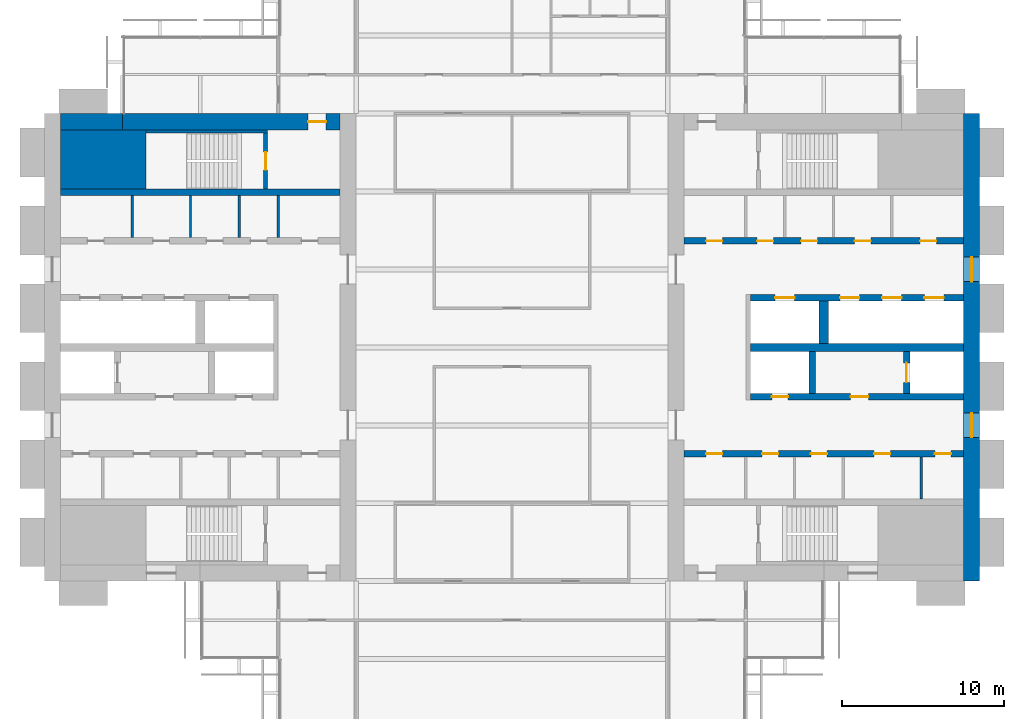
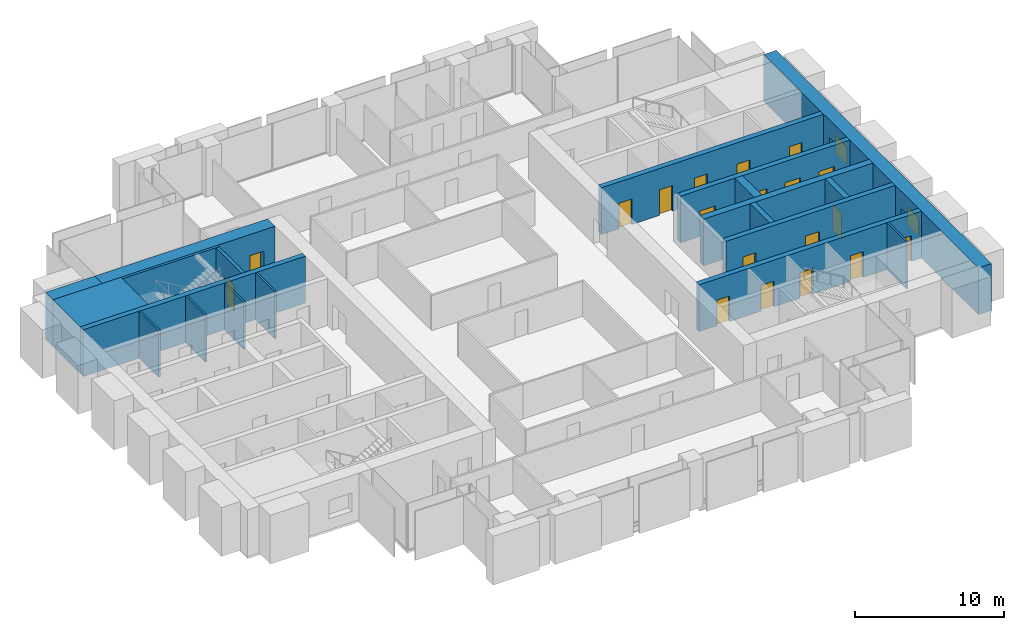
# One storey, part 11 of 14: 20 walls, 19 doors, 2 windows, 21 openings.
"""IFC4 building model written with IfcOpenShell, lengths in metres."""

from ifc_helpers import new_model, si_unit, direction, frame, frame_2d, origin, place, context, subcontext, project, spatial, rectangle, extrude, material, layer, layer_set, type_object, element, fill, save


model = new_model("IFC4")

# Units and contexts
model_context = context("Model", 3, precision=1e-05, world=origin(), true_north=direction((0.0, 1.0)))
body_context = subcontext(model_context, "Body", "Model", "MODEL_VIEW")
ifc_project = project(units=[si_unit("LENGTHUNIT", "METRE"), si_unit("AREAUNIT", "SQUARE_METRE"), si_unit("VOLUMEUNIT", "CUBIC_METRE"), si_unit("PLANEANGLEUNIT", "RADIAN"), si_unit("MASSUNIT", "GRAM", prefix="KILO")], contexts=[model_context])

# Site, building, storey
site_placement = place(None, origin())
site = spatial("IfcSite", under=ifc_project, at=site_placement, CompositionType="ELEMENT")
building_placement = place(site_placement, origin())
building = spatial("IfcBuilding", under=site, at=building_placement, Name="Baori Bourse Tower", CompositionType="ELEMENT")
storey_placement = place(building_placement, frame((0.0, 0.0, 124.10009765625)))
storey = spatial("IfcBuildingStorey", under=building, at=storey_placement, Name="L26", CompositionType="ELEMENT", Elevation=124.10009765625)

# Walls
ifc_material_1 = material(Name="Concrete f'c 60 MPa", Category="concrete")
wall_type_1 = type_object("IfcWallType", Name="Core corner block f'c 60", PredefinedType="SHEAR", material=ifc_material_1)
wall_1_placement = place(storey_placement, frame((1.0, 35.574951171875, 0.0), z_axis=(0.0, 0.0, 1.0), x_axis=(1.0, 0.0, 0.0)))
element("IfcWall", 1, at=wall_1_placement, inside=storey, type_object=wall_type_1, Name="Core wall W28", PredefinedType="SHEAR", context=body_context, shape_type="SweptSolid", body=[
    extrude(rectangle(XDim=5.25, YDim=3.64990234375, at=frame_2d((2.625, 0.0))), origin(), (0.0, 0.0, 1.0), 3.83984375),
])
ifc_material_2 = material(Name="Blockwork partition", Category="masonry")
ifc_layer_1 = layer(ifc_material_2, 0.14990234375)
ifc_layer_set_1 = layer_set([ifc_layer_1], Name="Core partition 150")
wall_type_2 = type_object("IfcWallType", Name="Core partition 150", PredefinedType="PARTITIONING", material=ifc_layer_set_1)
for number, where, z_axis, x_axis, name in (
    (2, (5.39990234375, 30.75, 0.0), (0.0, 0.0, 1.0), (0.0, 1.0, 0.0), "Partition wall W23"),
    (3, (9.0, 30.75, 0.0), (0.0, 0.0, 1.0), (0.0, 1.0, 0.0), "Partition wall W24"),
    (4, (12.0, 30.75, 0.0), (0.0, 0.0, 1.0), (0.0, 1.0, 0.0), "Partition wall W25"),
    (5, (14.39990234375, 30.75, 0.0), (0.0, 0.0, 1.0), (0.0, 1.0, 0.0), "Partition wall W26"),
    (6, (54.0, 14.64990234375, 0.0), (0.0, 0.0, 1.0), (0.0, 1.0, 0.0), "Partition wall E10"),
):
    element("IfcWall", number, at=place(storey_placement, frame(where, z_axis=z_axis, x_axis=x_axis)), inside=storey, type_object=wall_type_2, Name=name, PredefinedType="PARTITIONING", context=body_context, shape_type="SweptSolid", body=[
        extrude(rectangle(XDim=2.60009765625, YDim=0.14990234375, at=frame_2d((1.300048828125, 0.0))), origin(), (0.0, 0.0, 1.0), 3.83984375),
    ])
ifc_material_3 = material(Name="Concrete f'c 60 MPa", Category="concrete")
ifc_layer_2 = layer(ifc_material_3, 1.0)
ifc_layer_set_2 = layer_set([ifc_layer_2], Name="Core wall 1000 f'c 60")
wall_type_3 = type_object("IfcWallType", Name="Core wall 1000 f'c 60", PredefinedType="SHEAR", material=ifc_layer_set_2)
wall_2_placement = place(storey_placement, frame((1.0, 37.89990234375, 0.0), z_axis=(0.0, 0.0, 1.0), x_axis=(1.0, 0.0, 0.0)))
element("IfcWall", 7, at=wall_2_placement, inside=storey, type_object=wall_type_3, Name="Core wall W31", PredefinedType="SHEAR", context=body_context, shape_type="SweptSolid", body=[
    extrude(rectangle(XDim=3.800048828125, YDim=1.0, at=frame_2d((1.89990234375, 0.0))), origin(), (0.0, 0.0, 1.0), 3.83984375),
])

# Wall, opening, door
wall_3_placement = place(storey_placement, frame((4.800048828125, 37.89990234375, 0.0), z_axis=(0.0, 0.0, 1.0), x_axis=(1.0, 0.0, 0.0)))
wall_3 = element("IfcWall", 8, at=wall_3_placement, inside=storey, type_object=wall_type_3, Name="Core wall W32", PredefinedType="SHEAR", context=body_context, shape_type="SweptSolid", body=[
    extrude(rectangle(XDim=13.39990234375, YDim=1.0, at=frame_2d((6.699951171875, 0.0))), origin(), (0.0, 0.0, 1.0), 3.83984375),
])
opening_1_placement = place(wall_3_placement, frame((11.449951171875, 0.0, 0.0)))
opening_1 = element("IfcOpeningElement", 9, at=opening_1_placement, cuts=wall_3, Name="Opening L26-D104", PredefinedType="OPENING", context=body_context, shape_type="SweptSolid", body=[
    extrude(rectangle(XDim=1.10009765625, YDim=2.10009765625, at=frame_2d((0.550048828125, 1.050048828125))), frame((0.0, 0.510009765625, 0.0), z_axis=(0.0, -1.0, 0.0), x_axis=(1.0, 0.0, 0.0)), (0.0, 0.0, 1.0), 1.02001953125),
])
ifc_material_4 = material(Name="Painted steel door", Category="steel")
door_type_1 = type_object("IfcDoorType", Name="Stair door 1100", OperationType="SINGLE_SWING_LEFT", PredefinedType="DOOR", material=ifc_material_4)
door_1_placement = place(opening_1_placement, origin())
door_1 = element("IfcDoor", 10, at=door_1_placement, inside=storey, type_object=door_type_1, Name="Stair vestibule door B W L26", OperationType="SINGLE_SWING_LEFT", OverallHeight=2.10009765625, OverallWidth=1.10009765625, PredefinedType="DOOR", context=body_context, shape_type="SweptSolid", body=[
    extrude(rectangle(XDim=1.10009765625, YDim=2.10009765625, at=frame_2d((0.550048828125, 1.050048828125))), frame((0.0, 0.02490234375, 0.0), z_axis=(0.0, -1.0, 0.0), x_axis=(1.0, 0.0, 0.0)), (0.0, 0.0, 1.0), 0.050048828125),
])
fill(opening_1, door_1)

# Wall, openings, windows
wall_4_placement = place(storey_placement, frame((57.10009765625, 38.39990234375, 0.0), z_axis=(0.0, 0.0, 1.0), x_axis=(0.0, -1.0, 0.0)))
wall_4 = element("IfcWall", 11, at=wall_4_placement, inside=storey, type_object=wall_type_3, Name="Core wall E01", PredefinedType="SHEAR", context=body_context, shape_type="SweptSolid", body=[
    extrude(rectangle(XDim=28.7998046875, YDim=1.0, at=frame_2d((14.39990234375, 0.0))), origin(), (0.0, 0.0, 1.0), 3.83984375),
])
opening_2_placement = place(wall_4_placement, frame((18.449951171875, 0.0, 0.89990234375)))
opening_2 = element("IfcOpeningElement", 12, at=opening_2_placement, cuts=wall_4, Name="Opening L26-KW201", PredefinedType="OPENING", context=body_context, shape_type="SweptSolid", body=[
    extrude(rectangle(XDim=1.5, YDim=1.5, at=frame_2d((0.75, 0.75))), frame((0.0, 0.510009765625, 0.0), z_axis=(0.0, -1.0, 0.0), x_axis=(1.0, 0.0, 0.0)), (0.0, 0.0, 1.0), 1.02001953125),
])
opening_3_placement = place(wall_4_placement, frame((8.85009765625, 0.0, 0.89990234375)))
opening_3 = element("IfcOpeningElement", 13, at=opening_3_placement, cuts=wall_4, Name="Opening L26-KW202", PredefinedType="OPENING", context=body_context, shape_type="SweptSolid", body=[
    extrude(rectangle(XDim=1.5, YDim=1.5, at=frame_2d((0.75, 0.75))), frame((0.0, 0.510009765625, 0.0), z_axis=(0.0, -1.0, 0.0), x_axis=(1.0, 0.0, 0.0)), (0.0, 0.0, 1.0), 1.02001953125),
])
ifc_material_5 = material(Name="Pale anodised aluminium", Category="aluminium")
window_type = type_object("IfcWindowType", Name="Lobby window 1500 x 1500", PartitioningType="SINGLE_PANEL", PredefinedType="WINDOW", material=ifc_material_5)
window_1_placement = place(opening_2_placement, origin())
window_1 = element("IfcWindow", 14, at=window_1_placement, inside=storey, type_object=window_type, Name="Outer wall window E L26 1", OverallHeight=1.5, OverallWidth=1.5, PartitioningType="SINGLE_PANEL", PredefinedType="WINDOW", context=body_context, shape_type="SweptSolid", body=[
    extrude(rectangle(XDim=1.5, YDim=1.5, at=frame_2d((0.75, 0.75))), frame((0.0, 0.030029296875, 0.0), z_axis=(0.0, -1.0, 0.0), x_axis=(1.0, 0.0, 0.0)), (0.0, 0.0, 1.0), 0.06005859375),
])
fill(opening_2, window_1)
window_2_placement = place(opening_3_placement, origin())
window_2 = element("IfcWindow", 15, at=window_2_placement, inside=storey, type_object=window_type, Name="Outer wall window E L26 2", OverallHeight=1.5, OverallWidth=1.5, PartitioningType="SINGLE_PANEL", PredefinedType="WINDOW", context=body_context, shape_type="SweptSolid", body=[
    extrude(rectangle(XDim=1.5, YDim=1.5, at=frame_2d((0.75, 0.75))), frame((0.0, 0.030029296875, 0.0), z_axis=(0.0, -1.0, 0.0), x_axis=(1.0, 0.0, 0.0)), (0.0, 0.0, 1.0), 0.06005859375),
])
fill(opening_3, window_2)

# Wall
ifc_material_6 = material(Name="Concrete f'c 60 MPa", Category="concrete")
ifc_layer_3 = layer(ifc_material_6, 0.199951171875)
ifc_layer_set_3 = layer_set([ifc_layer_3], Name="Shaft wall 200 f'c 60")
wall_type_4 = type_object("IfcWallType", Name="Shaft wall 200 f'c 60", PredefinedType="SHEAR", material=ifc_layer_set_3)
wall_5_placement = place(storey_placement, frame((6.25, 37.300048828125, 0.0), z_axis=(0.0, 0.0, 1.0), x_axis=(1.0, 0.0, 0.0)))
element("IfcWall", 16, at=wall_5_placement, inside=storey, type_object=wall_type_4, Name="Core wall W30", PredefinedType="SHEAR", context=body_context, shape_type="SweptSolid", body=[
    extrude(rectangle(XDim=7.5, YDim=0.199951171875, at=frame_2d((3.75, 0.0))), origin(), (0.0, 0.0, 1.0), 3.83984375),
])

# Wall, opening, door
ifc_material_7 = material(Name="Concrete f'c 60 MPa", Category="concrete")
ifc_layer_4 = layer(ifc_material_7, 0.25)
ifc_layer_set_4 = layer_set([ifc_layer_4], Name="Shaft wall 250 f'c 60")
wall_type_5 = type_object("IfcWallType", Name="Shaft wall 250 f'c 60", PredefinedType="SHEAR", material=ifc_layer_set_4)
wall_6_placement = place(storey_placement, frame((13.625, 33.75, 0.0), z_axis=(0.0, 0.0, 1.0), x_axis=(0.0, 1.0, 0.0)))
wall_6 = element("IfcWall", 17, at=wall_6_placement, inside=storey, type_object=wall_type_5, Name="Core wall W29", PredefinedType="SHEAR", context=body_context, shape_type="SweptSolid", body=[
    extrude(rectangle(XDim=3.449951171875, YDim=0.25, at=frame_2d((1.72509765625, 0.0))), origin(), (0.0, 0.0, 1.0), 3.83984375),
])
opening_4_placement = place(wall_6_placement, frame((1.175048828125, 0.0, 0.0)))
opening_4 = element("IfcOpeningElement", 18, at=opening_4_placement, cuts=wall_6, Name="Opening L26-D103", PredefinedType="OPENING", context=body_context, shape_type="SweptSolid", body=[
    extrude(rectangle(XDim=1.10009765625, YDim=2.10009765625, at=frame_2d((0.550048828125, 1.050048828125))), frame((0.0, 0.135009765625, 0.0), z_axis=(0.0, -1.0, 0.0), x_axis=(1.0, 0.0, 0.0)), (0.0, 0.0, 1.0), 0.27001953125),
])
door_2_placement = place(opening_4_placement, origin())
door_2 = element("IfcDoor", 19, at=door_2_placement, inside=storey, type_object=door_type_1, Name="Stair door B W L26", OperationType="SINGLE_SWING_LEFT", OverallHeight=2.10009765625, OverallWidth=1.10009765625, PredefinedType="DOOR", context=body_context, shape_type="SweptSolid", body=[
    extrude(rectangle(XDim=1.10009765625, YDim=2.10009765625, at=frame_2d((0.550048828125, 1.050048828125))), frame((0.0, 0.02490234375, 0.0), z_axis=(0.0, -1.0, 0.0), x_axis=(1.0, 0.0, 0.0)), (0.0, 0.0, 1.0), 0.050048828125),
])
fill(opening_4, door_2)

# Wall
ifc_material_8 = material(Name="Concrete f'c 60 MPa", Category="concrete")
ifc_layer_5 = layer(ifc_material_8, 0.39990234375)
ifc_layer_set_5 = layer_set([ifc_layer_5], Name="Shaft wall 400 f'c 60")
wall_type_6 = type_object("IfcWallType", Name="Shaft wall 400 f'c 60", PredefinedType="SHEAR", material=ifc_layer_set_5)
wall_7_placement = place(storey_placement, frame((1.0, 33.550048828125, 0.0), z_axis=(0.0, 0.0, 1.0), x_axis=(1.0, 0.0, 0.0)))
element("IfcWall", 20, at=wall_7_placement, inside=storey, type_object=wall_type_6, Name="Core wall W27", PredefinedType="SHEAR", context=body_context, shape_type="SweptSolid", body=[
    extrude(rectangle(XDim=17.199951171875, YDim=0.39990234375, at=frame_2d((8.60009765625, 0.0))), origin(), (0.0, 0.0, 1.0), 3.83984375),
])

# Wall, openings, doors
wall_8_placement = place(storey_placement, frame((39.39990234375, 17.449951171875, 0.0), z_axis=(0.0, 0.0, 1.0), x_axis=(1.0, 0.0, 0.0)))
wall_8 = element("IfcWall", 21, at=wall_8_placement, inside=storey, type_object=wall_type_6, Name="Core wall E14", PredefinedType="SHEAR", context=body_context, shape_type="SweptSolid", body=[
    extrude(rectangle(XDim=17.2001953125, YDim=0.39990234375, at=frame_2d((8.60009765625, 0.0))), origin(), (0.0, 0.0, 1.0), 3.83984375),
])
opening_5_placement = place(wall_8_placement, frame((15.4375, 0.0, 0.0)))
opening_5 = element("IfcOpeningElement", 22, at=opening_5_placement, cuts=wall_8, Name="Opening L26-D214", PredefinedType="OPENING", context=body_context, shape_type="SweptSolid", body=[
    extrude(rectangle(XDim=1.0, YDim=2.10009765625, at=frame_2d((0.5, 1.050048828125))), frame((0.0, 0.2099609375, 0.0), z_axis=(0.0, -1.0, 0.0), x_axis=(1.0, 0.0, 0.0)), (0.0, 0.0, 1.0), 0.419921875),
])
opening_6_placement = place(wall_8_placement, frame((11.699951171875, 0.0, 0.0)))
opening_6 = element("IfcOpeningElement", 23, at=opening_6_placement, cuts=wall_8, Name="Opening L26-D215", PredefinedType="OPENING", context=body_context, shape_type="SweptSolid", body=[
    extrude(rectangle(XDim=1.0, YDim=2.10009765625, at=frame_2d((0.5, 1.050048828125))), frame((0.0, 0.2099609375, 0.0), z_axis=(0.0, -1.0, 0.0), x_axis=(1.0, 0.0, 0.0)), (0.0, 0.0, 1.0), 0.419921875),
])
opening_7_placement = place(wall_8_placement, frame((7.800048828125, 0.0, 0.0)))
opening_7 = element("IfcOpeningElement", 24, at=opening_7_placement, cuts=wall_8, Name="Opening L26-D216", PredefinedType="OPENING", context=body_context, shape_type="SweptSolid", body=[
    extrude(rectangle(XDim=1.0, YDim=2.10009765625, at=frame_2d((0.5, 1.050048828125))), frame((0.0, 0.2099609375, 0.0), z_axis=(0.0, -1.0, 0.0), x_axis=(1.0, 0.0, 0.0)), (0.0, 0.0, 1.0), 0.419921875),
])
opening_8_placement = place(wall_8_placement, frame((4.800048828125, 0.0, 0.0)))
opening_8 = element("IfcOpeningElement", 25, at=opening_8_placement, cuts=wall_8, Name="Opening L26-D217", PredefinedType="OPENING", context=body_context, shape_type="SweptSolid", body=[
    extrude(rectangle(XDim=1.0, YDim=2.10009765625, at=frame_2d((0.5, 1.050048828125))), frame((0.0, 0.2099609375, 0.0), z_axis=(0.0, -1.0, 0.0), x_axis=(1.0, 0.0, 0.0)), (0.0, 0.0, 1.0), 0.419921875),
])
opening_9_placement = place(wall_8_placement, frame((1.362548828125, 0.0, 0.0)))
opening_9 = element("IfcOpeningElement", 26, at=opening_9_placement, cuts=wall_8, Name="Opening L26-D218", PredefinedType="OPENING", context=body_context, shape_type="SweptSolid", body=[
    extrude(rectangle(XDim=1.0, YDim=2.10009765625, at=frame_2d((0.5, 1.050048828125))), frame((0.0, 0.2099609375, 0.0), z_axis=(0.0, -1.0, 0.0), x_axis=(1.0, 0.0, 0.0)), (0.0, 0.0, 1.0), 0.419921875),
])
ifc_material_9 = material(Name="Painted steel door", Category="steel")
door_type_2 = type_object("IfcDoorType", Name="Core door 1000", OperationType="SINGLE_SWING_LEFT", PredefinedType="DOOR", material=ifc_material_9)
door_3_placement = place(opening_6_placement, origin())
door_3 = element("IfcDoor", 27, at=door_3_placement, inside=storey, type_object=door_type_2, Name="Men'S Wc door E L26", OperationType="SINGLE_SWING_LEFT", OverallHeight=2.10009765625, OverallWidth=1.0, PredefinedType="DOOR", context=body_context, shape_type="SweptSolid", body=[
    extrude(rectangle(XDim=1.0, YDim=2.10009765625, at=frame_2d((0.5, 1.050048828125))), frame((0.0, 0.02490234375, 0.0), z_axis=(0.0, -1.0, 0.0), x_axis=(1.0, 0.0, 0.0)), (0.0, 0.0, 1.0), 0.050048828125),
])
fill(opening_6, door_3)
door_4_placement = place(opening_7_placement, origin())
door_4 = element("IfcDoor", 28, at=door_4_placement, inside=storey, type_object=door_type_2, Name="Accessible Wc door E L26", OperationType="SINGLE_SWING_LEFT", OverallHeight=2.10009765625, OverallWidth=1.0, PredefinedType="DOOR", context=body_context, shape_type="SweptSolid", body=[
    extrude(rectangle(XDim=1.0, YDim=2.10009765625, at=frame_2d((0.5, 1.050048828125))), frame((0.0, 0.02490234375, 0.0), z_axis=(0.0, -1.0, 0.0), x_axis=(1.0, 0.0, 0.0)), (0.0, 0.0, 1.0), 0.050048828125),
])
fill(opening_7, door_4)
door_5_placement = place(opening_9_placement, origin())
door_5 = element("IfcDoor", 29, at=door_5_placement, inside=storey, type_object=door_type_2, Name="Women'S Wc door E L26", OperationType="SINGLE_SWING_LEFT", OverallHeight=2.10009765625, OverallWidth=1.0, PredefinedType="DOOR", context=body_context, shape_type="SweptSolid", body=[
    extrude(rectangle(XDim=1.0, YDim=2.10009765625, at=frame_2d((0.5, 1.050048828125))), frame((0.0, 0.02490234375, 0.0), z_axis=(0.0, -1.0, 0.0), x_axis=(1.0, 0.0, 0.0)), (0.0, 0.0, 1.0), 0.050048828125),
])
fill(opening_9, door_5)
ifc_material_10 = material(Name="Painted steel door", Category="steel")
door_type_3 = type_object("IfcDoorType", Name="Plant room door 1000", OperationType="SINGLE_SWING_LEFT", PredefinedType="DOOR", material=ifc_material_10)
door_6_placement = place(opening_5_placement, origin())
door_6 = element("IfcDoor", 30, at=door_6_placement, inside=storey, type_object=door_type_3, Name="Communications Room door E L26", OperationType="SINGLE_SWING_LEFT", OverallHeight=2.10009765625, OverallWidth=1.0, PredefinedType="DOOR", context=body_context, shape_type="SweptSolid", body=[
    extrude(rectangle(XDim=1.0, YDim=2.10009765625, at=frame_2d((0.5, 1.050048828125))), frame((0.0, 0.02490234375, 0.0), z_axis=(0.0, -1.0, 0.0), x_axis=(1.0, 0.0, 0.0)), (0.0, 0.0, 1.0), 0.050048828125),
])
fill(opening_5, door_6)
door_7_placement = place(opening_8_placement, origin())
door_7 = element("IfcDoor", 31, at=door_7_placement, inside=storey, type_object=door_type_3, Name="Communications Room door E L26", OperationType="SINGLE_SWING_LEFT", OverallHeight=2.10009765625, OverallWidth=1.0, PredefinedType="DOOR", context=body_context, shape_type="SweptSolid", body=[
    extrude(rectangle(XDim=1.0, YDim=2.10009765625, at=frame_2d((0.5, 1.050048828125))), frame((0.0, 0.02490234375, 0.0), z_axis=(0.0, -1.0, 0.0), x_axis=(1.0, 0.0, 0.0)), (0.0, 0.0, 1.0), 0.050048828125),
])
fill(opening_8, door_7)

wall_9_placement = place(storey_placement, frame((43.5, 20.949951171875, 0.0), z_axis=(0.0, 0.0, 1.0), x_axis=(1.0, 0.0, 0.0)))
wall_9 = element("IfcWall", 32, at=wall_9_placement, inside=storey, type_object=wall_type_6, Name="Core wall E15", PredefinedType="SHEAR", context=body_context, shape_type="SweptSolid", body=[
    extrude(rectangle(XDim=13.10009765625, YDim=0.39990234375, at=frame_2d((6.550048828125, 0.0))), origin(), (0.0, 0.0, 1.0), 3.83984375),
])
opening_10_placement = place(wall_9_placement, frame((6.14990234375, 0.0, 0.0)))
opening_10 = element("IfcOpeningElement", 33, at=opening_10_placement, cuts=wall_9, Name="Opening L26-D205", PredefinedType="OPENING", context=body_context, shape_type="SweptSolid", body=[
    extrude(rectangle(XDim=1.10009765625, YDim=2.10009765625, at=frame_2d((0.550048828125, 1.050048828125))), frame((0.0, 0.2099609375, 0.0), z_axis=(0.0, -1.0, 0.0), x_axis=(1.0, 0.0, 0.0)), (0.0, 0.0, 1.0), 0.419921875),
])
opening_11_placement = place(wall_9_placement, frame((1.300048828125, 0.0, 0.0)))
opening_11 = element("IfcOpeningElement", 34, at=opening_11_placement, cuts=wall_9, Name="Opening L26-D206", PredefinedType="OPENING", context=body_context, shape_type="SweptSolid", body=[
    extrude(rectangle(XDim=1.0, YDim=2.10009765625, at=frame_2d((0.5, 1.050048828125))), frame((0.0, 0.2099609375, 0.0), z_axis=(0.0, -1.0, 0.0), x_axis=(1.0, 0.0, 0.0)), (0.0, 0.0, 1.0), 0.419921875),
])
ifc_material_11 = material(Name="Painted steel door", Category="steel")
door_type_4 = type_object("IfcDoorType", Name="Lobby door 1100", OperationType="SINGLE_SWING_LEFT", PredefinedType="DOOR", material=ifc_material_11)
door_8_placement = place(opening_10_placement, origin())
door_8 = element("IfcDoor", 35, at=door_8_placement, inside=storey, type_object=door_type_4, Name="Firefighting lobby door E L26", OperationType="SINGLE_SWING_LEFT", OverallHeight=2.10009765625, OverallWidth=1.10009765625, PredefinedType="DOOR", context=body_context, shape_type="SweptSolid", body=[
    extrude(rectangle(XDim=1.10009765625, YDim=2.10009765625, at=frame_2d((0.550048828125, 1.050048828125))), frame((0.0, 0.02490234375, 0.0), z_axis=(0.0, -1.0, 0.0), x_axis=(1.0, 0.0, 0.0)), (0.0, 0.0, 1.0), 0.050048828125),
])
fill(opening_10, door_8)
ifc_material_12 = material(Name="Painted steel door", Category="steel")
door_type_5 = type_object("IfcDoorType", Name="Shaft door 1000", OperationType="SINGLE_SWING_LEFT", PredefinedType="DOOR", material=ifc_material_12)
door_9_placement = place(opening_11_placement, origin())
door_9 = element("IfcDoor", 36, at=door_9_placement, inside=storey, type_object=door_type_5, Name="Riser room door E L26", OperationType="SINGLE_SWING_LEFT", OverallHeight=2.10009765625, OverallWidth=1.0, PredefinedType="DOOR", context=body_context, shape_type="SweptSolid", body=[
    extrude(rectangle(XDim=1.0, YDim=2.10009765625, at=frame_2d((0.5, 1.050048828125))), frame((0.0, 0.02490234375, 0.0), z_axis=(0.0, -1.0, 0.0), x_axis=(1.0, 0.0, 0.0)), (0.0, 0.0, 1.0), 0.050048828125),
])
fill(opening_11, door_9)

# Wall, opening, door
wall_10_placement = place(storey_placement, frame((53.10009765625, 21.14990234375, 0.0), z_axis=(0.0, 0.0, 1.0), x_axis=(0.0, 1.0, 0.0)))
wall_10 = element("IfcWall", 37, at=wall_10_placement, inside=storey, type_object=wall_type_6, Name="Core wall E17", PredefinedType="SHEAR", context=body_context, shape_type="SweptSolid", body=[
    extrude(rectangle(XDim=2.60009765625, YDim=0.39990234375, at=frame_2d((1.300048828125, 0.0))), origin(), (0.0, 0.0, 1.0), 3.83984375),
])
opening_12_placement = place(wall_10_placement, frame((0.699951171875, 0.0, 0.0)))
opening_12 = element("IfcOpeningElement", 38, at=opening_12_placement, cuts=wall_10, Name="Opening L26-D223", PredefinedType="OPENING", context=body_context, shape_type="SweptSolid", body=[
    extrude(rectangle(XDim=1.199951171875, YDim=2.10009765625, at=frame_2d((0.60009765625, 1.050048828125))), frame((0.0, 0.2099609375, 0.0), z_axis=(0.0, -1.0, 0.0), x_axis=(1.0, 0.0, 0.0)), (0.0, 0.0, 1.0), 0.419921875),
])
ifc_material_13 = material(Name="Stainless steel door", Category="steel")
door_type_6 = type_object("IfcDoorType", Name="Lift landing door", OperationType="DOUBLE_DOOR_SLIDING", PredefinedType="DOOR", material=ifc_material_13)
door_10_placement = place(opening_12_placement, origin())
door_10 = element("IfcDoor", 39, at=door_10_placement, inside=storey, type_object=door_type_6, Name="Lift landing door FF2 E L26", OperationType="DOUBLE_DOOR_SLIDING", OverallHeight=2.10009765625, OverallWidth=1.199951171875, PredefinedType="DOOR", context=body_context, shape_type="SweptSolid", body=[
    extrude(rectangle(XDim=1.199951171875, YDim=2.10009765625, at=frame_2d((0.60009765625, 1.050048828125))), frame((0.0, 0.02490234375, 0.0), z_axis=(0.0, -1.0, 0.0), x_axis=(1.0, 0.0, 0.0)), (0.0, 0.0, 1.0), 0.050048828125),
])
fill(opening_12, door_10)

# Wall
wall_11_placement = place(storey_placement, frame((47.300048828125, 21.14990234375, 0.0), z_axis=(0.0, 0.0, 1.0), x_axis=(0.0, 1.0, 0.0)))
element("IfcWall", 40, at=wall_11_placement, inside=storey, type_object=wall_type_6, Name="Core wall E18", PredefinedType="SHEAR", context=body_context, shape_type="SweptSolid", body=[
    extrude(rectangle(XDim=2.60009765625, YDim=0.39990234375, at=frame_2d((1.300048828125, 0.0))), origin(), (0.0, 0.0, 1.0), 3.83984375),
])

# Wall, openings, doors
wall_12_placement = place(storey_placement, frame((43.5, 27.050048828125, 0.0), z_axis=(0.0, 0.0, 1.0), x_axis=(1.0, 0.0, 0.0)))
wall_12 = element("IfcWall", 41, at=wall_12_placement, inside=storey, type_object=wall_type_6, Name="Core wall E21", PredefinedType="SHEAR", context=body_context, shape_type="SweptSolid", body=[
    extrude(rectangle(XDim=13.10009765625, YDim=0.39990234375, at=frame_2d((6.550048828125, 0.0))), origin(), (0.0, 0.0, 1.0), 3.83984375),
])
opening_13_placement = place(wall_12_placement, frame((10.699951171875, 0.0, 0.0)))
opening_13 = element("IfcOpeningElement", 42, at=opening_13_placement, cuts=wall_12, Name="Opening L26-D219", PredefinedType="OPENING", context=body_context, shape_type="SweptSolid", body=[
    extrude(rectangle(XDim=1.199951171875, YDim=2.10009765625, at=frame_2d((0.60009765625, 1.050048828125))), frame((0.0, 0.2099609375, 0.0), z_axis=(0.0, -1.0, 0.0), x_axis=(1.0, 0.0, 0.0)), (0.0, 0.0, 1.0), 0.419921875),
])
opening_14_placement = place(wall_12_placement, frame((8.10009765625, 0.0, 0.0)))
opening_14 = element("IfcOpeningElement", 43, at=opening_14_placement, cuts=wall_12, Name="Opening L26-D220", PredefinedType="OPENING", context=body_context, shape_type="SweptSolid", body=[
    extrude(rectangle(XDim=1.199951171875, YDim=2.10009765625, at=frame_2d((0.60009765625, 1.050048828125))), frame((0.0, 0.2099609375, 0.0), z_axis=(0.0, -1.0, 0.0), x_axis=(1.0, 0.0, 0.0)), (0.0, 0.0, 1.0), 0.419921875),
])
opening_15_placement = place(wall_12_placement, frame((5.5, 0.0, 0.0)))
opening_15 = element("IfcOpeningElement", 44, at=opening_15_placement, cuts=wall_12, Name="Opening L26-D221", PredefinedType="OPENING", context=body_context, shape_type="SweptSolid", body=[
    extrude(rectangle(XDim=1.199951171875, YDim=2.10009765625, at=frame_2d((0.60009765625, 1.050048828125))), frame((0.0, 0.2099609375, 0.0), z_axis=(0.0, -1.0, 0.0), x_axis=(1.0, 0.0, 0.0)), (0.0, 0.0, 1.0), 0.419921875),
])
opening_16_placement = place(wall_12_placement, frame((1.5, 0.0, 0.0)))
opening_16 = element("IfcOpeningElement", 45, at=opening_16_placement, cuts=wall_12, Name="Opening L26-D222", PredefinedType="OPENING", context=body_context, shape_type="SweptSolid", body=[
    extrude(rectangle(XDim=1.199951171875, YDim=2.10009765625, at=frame_2d((0.60009765625, 1.050048828125))), frame((0.0, 0.2099609375, 0.0), z_axis=(0.0, -1.0, 0.0), x_axis=(1.0, 0.0, 0.0)), (0.0, 0.0, 1.0), 0.419921875),
])
door_11_placement = place(opening_13_placement, origin())
door_11 = element("IfcDoor", 46, at=door_11_placement, inside=storey, type_object=door_type_6, Name="Lift landing door SH1 E L26", OperationType="DOUBLE_DOOR_SLIDING", OverallHeight=2.10009765625, OverallWidth=1.199951171875, PredefinedType="DOOR", context=body_context, shape_type="SweptSolid", body=[
    extrude(rectangle(XDim=1.199951171875, YDim=2.10009765625, at=frame_2d((0.60009765625, 1.050048828125))), frame((0.0, 0.02490234375, 0.0), z_axis=(0.0, -1.0, 0.0), x_axis=(1.0, 0.0, 0.0)), (0.0, 0.0, 1.0), 0.050048828125),
])
fill(opening_13, door_11)
door_12_placement = place(opening_14_placement, origin())
door_12 = element("IfcDoor", 47, at=door_12_placement, inside=storey, type_object=door_type_6, Name="Lift landing door SH2 E L26", OperationType="DOUBLE_DOOR_SLIDING", OverallHeight=2.10009765625, OverallWidth=1.199951171875, PredefinedType="DOOR", context=body_context, shape_type="SweptSolid", body=[
    extrude(rectangle(XDim=1.199951171875, YDim=2.10009765625, at=frame_2d((0.60009765625, 1.050048828125))), frame((0.0, 0.02490234375, 0.0), z_axis=(0.0, -1.0, 0.0), x_axis=(1.0, 0.0, 0.0)), (0.0, 0.0, 1.0), 0.050048828125),
])
fill(opening_14, door_12)
door_13_placement = place(opening_15_placement, origin())
door_13 = element("IfcDoor", 48, at=door_13_placement, inside=storey, type_object=door_type_6, Name="Lift landing door SH3 E L26", OperationType="DOUBLE_DOOR_SLIDING", OverallHeight=2.10009765625, OverallWidth=1.199951171875, PredefinedType="DOOR", context=body_context, shape_type="SweptSolid", body=[
    extrude(rectangle(XDim=1.199951171875, YDim=2.10009765625, at=frame_2d((0.60009765625, 1.050048828125))), frame((0.0, 0.02490234375, 0.0), z_axis=(0.0, -1.0, 0.0), x_axis=(1.0, 0.0, 0.0)), (0.0, 0.0, 1.0), 0.050048828125),
])
fill(opening_15, door_13)
door_14_placement = place(opening_16_placement, origin())
door_14 = element("IfcDoor", 49, at=door_14_placement, inside=storey, type_object=door_type_6, Name="Lift landing door SV1 E L26", OperationType="DOUBLE_DOOR_SLIDING", OverallHeight=2.10009765625, OverallWidth=1.199951171875, PredefinedType="DOOR", context=body_context, shape_type="SweptSolid", body=[
    extrude(rectangle(XDim=1.199951171875, YDim=2.10009765625, at=frame_2d((0.60009765625, 1.050048828125))), frame((0.0, 0.02490234375, 0.0), z_axis=(0.0, -1.0, 0.0), x_axis=(1.0, 0.0, 0.0)), (0.0, 0.0, 1.0), 0.050048828125),
])
fill(opening_16, door_14)

wall_13_placement = place(storey_placement, frame((39.39990234375, 30.550048828125, 0.0), z_axis=(0.0, 0.0, 1.0), x_axis=(1.0, 0.0, 0.0)))
wall_13 = element("IfcWall", 50, at=wall_13_placement, inside=storey, type_object=wall_type_6, Name="Core wall E22", PredefinedType="SHEAR", context=body_context, shape_type="SweptSolid", body=[
    extrude(rectangle(XDim=17.2001953125, YDim=0.39990234375, at=frame_2d((8.60009765625, 0.0))), origin(), (0.0, 0.0, 1.0), 3.83984375),
])
opening_17_placement = place(wall_13_placement, frame((14.53759765625, 0.0, 0.0)))
opening_17 = element("IfcOpeningElement", 51, at=opening_17_placement, cuts=wall_13, Name="Opening L26-D209", PredefinedType="OPENING", context=body_context, shape_type="SweptSolid", body=[
    extrude(rectangle(XDim=1.0, YDim=2.10009765625, at=frame_2d((0.5, 1.050048828125))), frame((0.0, 0.2099609375, 0.0), z_axis=(0.0, -1.0, 0.0), x_axis=(1.0, 0.0, 0.0)), (0.0, 0.0, 1.0), 0.419921875),
])
opening_18_placement = place(wall_13_placement, frame((10.5, 0.0, 0.0)))
opening_18 = element("IfcOpeningElement", 52, at=opening_18_placement, cuts=wall_13, Name="Opening L26-D210", PredefinedType="OPENING", context=body_context, shape_type="SweptSolid", body=[
    extrude(rectangle(XDim=1.0, YDim=2.10009765625, at=frame_2d((0.5, 1.050048828125))), frame((0.0, 0.2099609375, 0.0), z_axis=(0.0, -1.0, 0.0), x_axis=(1.0, 0.0, 0.0)), (0.0, 0.0, 1.0), 0.419921875),
])
opening_19_placement = place(wall_13_placement, frame((7.199951171875, 0.0, 0.0)))
opening_19 = element("IfcOpeningElement", 53, at=opening_19_placement, cuts=wall_13, Name="Opening L26-D211", PredefinedType="OPENING", context=body_context, shape_type="SweptSolid", body=[
    extrude(rectangle(XDim=1.0, YDim=2.10009765625, at=frame_2d((0.5, 1.050048828125))), frame((0.0, 0.2099609375, 0.0), z_axis=(0.0, -1.0, 0.0), x_axis=(1.0, 0.0, 0.0)), (0.0, 0.0, 1.0), 0.419921875),
])
opening_20_placement = place(wall_13_placement, frame((4.5, 0.0, 0.0)))
opening_20 = element("IfcOpeningElement", 54, at=opening_20_placement, cuts=wall_13, Name="Opening L26-D212", PredefinedType="OPENING", context=body_context, shape_type="SweptSolid", body=[
    extrude(rectangle(XDim=1.0, YDim=2.10009765625, at=frame_2d((0.5, 1.050048828125))), frame((0.0, 0.2099609375, 0.0), z_axis=(0.0, -1.0, 0.0), x_axis=(1.0, 0.0, 0.0)), (0.0, 0.0, 1.0), 0.419921875),
])
opening_21_placement = place(wall_13_placement, frame((1.362548828125, 0.0, 0.0)))
opening_21 = element("IfcOpeningElement", 55, at=opening_21_placement, cuts=wall_13, Name="Opening L26-D213", PredefinedType="OPENING", context=body_context, shape_type="SweptSolid", body=[
    extrude(rectangle(XDim=1.0, YDim=2.10009765625, at=frame_2d((0.5, 1.050048828125))), frame((0.0, 0.2099609375, 0.0), z_axis=(0.0, -1.0, 0.0), x_axis=(1.0, 0.0, 0.0)), (0.0, 0.0, 1.0), 0.419921875),
])
door_15_placement = place(opening_17_placement, origin())
door_15 = element("IfcDoor", 56, at=door_15_placement, inside=storey, type_object=door_type_2, Name="Men'S Wc door E L26", OperationType="SINGLE_SWING_LEFT", OverallHeight=2.10009765625, OverallWidth=1.0, PredefinedType="DOOR", context=body_context, shape_type="SweptSolid", body=[
    extrude(rectangle(XDim=1.0, YDim=2.10009765625, at=frame_2d((0.5, 1.050048828125))), frame((0.0, 0.02490234375, 0.0), z_axis=(0.0, -1.0, 0.0), x_axis=(1.0, 0.0, 0.0)), (0.0, 0.0, 1.0), 0.050048828125),
])
fill(opening_17, door_15)
door_16_placement = place(opening_18_placement, origin())
door_16 = element("IfcDoor", 57, at=door_16_placement, inside=storey, type_object=door_type_2, Name="Women'S Wc door E L26", OperationType="SINGLE_SWING_LEFT", OverallHeight=2.10009765625, OverallWidth=1.0, PredefinedType="DOOR", context=body_context, shape_type="SweptSolid", body=[
    extrude(rectangle(XDim=1.0, YDim=2.10009765625, at=frame_2d((0.5, 1.050048828125))), frame((0.0, 0.02490234375, 0.0), z_axis=(0.0, -1.0, 0.0), x_axis=(1.0, 0.0, 0.0)), (0.0, 0.0, 1.0), 0.050048828125),
])
fill(opening_18, door_16)
door_17_placement = place(opening_21_placement, origin())
door_17 = element("IfcDoor", 58, at=door_17_placement, inside=storey, type_object=door_type_2, Name="Accessible Wc door E L26", OperationType="SINGLE_SWING_LEFT", OverallHeight=2.10009765625, OverallWidth=1.0, PredefinedType="DOOR", context=body_context, shape_type="SweptSolid", body=[
    extrude(rectangle(XDim=1.0, YDim=2.10009765625, at=frame_2d((0.5, 1.050048828125))), frame((0.0, 0.02490234375, 0.0), z_axis=(0.0, -1.0, 0.0), x_axis=(1.0, 0.0, 0.0)), (0.0, 0.0, 1.0), 0.050048828125),
])
fill(opening_21, door_17)
door_18_placement = place(opening_19_placement, origin())
door_18 = element("IfcDoor", 59, at=door_18_placement, inside=storey, type_object=door_type_3, Name="Communications Room door E L26", OperationType="SINGLE_SWING_LEFT", OverallHeight=2.10009765625, OverallWidth=1.0, PredefinedType="DOOR", context=body_context, shape_type="SweptSolid", body=[
    extrude(rectangle(XDim=1.0, YDim=2.10009765625, at=frame_2d((0.5, 1.050048828125))), frame((0.0, 0.02490234375, 0.0), z_axis=(0.0, -1.0, 0.0), x_axis=(1.0, 0.0, 0.0)), (0.0, 0.0, 1.0), 0.050048828125),
])
fill(opening_19, door_18)
door_19_placement = place(opening_20_placement, origin())
door_19 = element("IfcDoor", 60, at=door_19_placement, inside=storey, type_object=door_type_3, Name="Plumbing Equipment Room door E L26", OperationType="SINGLE_SWING_LEFT", OverallHeight=2.10009765625, OverallWidth=1.0, PredefinedType="DOOR", context=body_context, shape_type="SweptSolid", body=[
    extrude(rectangle(XDim=1.0, YDim=2.10009765625, at=frame_2d((0.5, 1.050048828125))), frame((0.0, 0.02490234375, 0.0), z_axis=(0.0, -1.0, 0.0), x_axis=(1.0, 0.0, 0.0)), (0.0, 0.0, 1.0), 0.050048828125),
])
fill(opening_20, door_19)

# Walls
ifc_material_14 = material(Name="Concrete f'c 60 MPa", Category="concrete")
ifc_layer_6 = layer(ifc_material_14, 0.5)
ifc_layer_set_6 = layer_set([ifc_layer_6], Name="Shaft wall 500 f'c 60")
wall_type_7 = type_object("IfcWallType", Name="Shaft wall 500 f'c 60", PredefinedType="SHEAR", material=ifc_layer_set_6)
wall_14_placement = place(storey_placement, frame((43.5, 24.0, 0.0), z_axis=(0.0, 0.0, 1.0), x_axis=(1.0, 0.0, 0.0)))
element("IfcWall", 61, at=wall_14_placement, inside=storey, type_object=wall_type_7, Name="Core wall E19", PredefinedType="SHEAR", context=body_context, shape_type="SweptSolid", body=[
    extrude(rectangle(XDim=13.10009765625, YDim=0.5, at=frame_2d((6.550048828125, 0.0))), origin(), (0.0, 0.0, 1.0), 3.83984375),
])
ifc_material_15 = material(Name="Concrete f'c 60 MPa", Category="concrete")
ifc_layer_7 = layer(ifc_material_15, 0.60009765625)
ifc_layer_set_7 = layer_set([ifc_layer_7], Name="Shaft wall 600 f'c 60")
wall_type_8 = type_object("IfcWallType", Name="Shaft wall 600 f'c 60", PredefinedType="SHEAR", material=ifc_layer_set_7)
wall_15_placement = place(storey_placement, frame((48.0, 24.25, 0.0), z_axis=(0.0, 0.0, 1.0), x_axis=(0.0, 1.0, 0.0)))
element("IfcWall", 62, at=wall_15_placement, inside=storey, type_object=wall_type_8, Name="Core wall E20", PredefinedType="SHEAR", context=body_context, shape_type="SweptSolid", body=[
    extrude(rectangle(XDim=2.60009765625, YDim=0.60009765625, at=frame_2d((1.300048828125, 0.0))), origin(), (0.0, 0.0, 1.0), 3.83984375),
])

save(model, "model.ifc")
